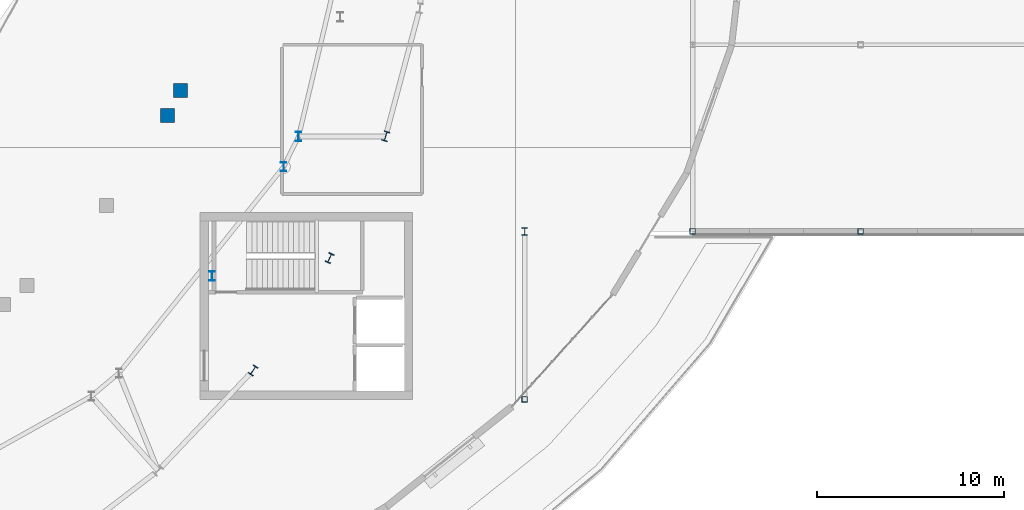
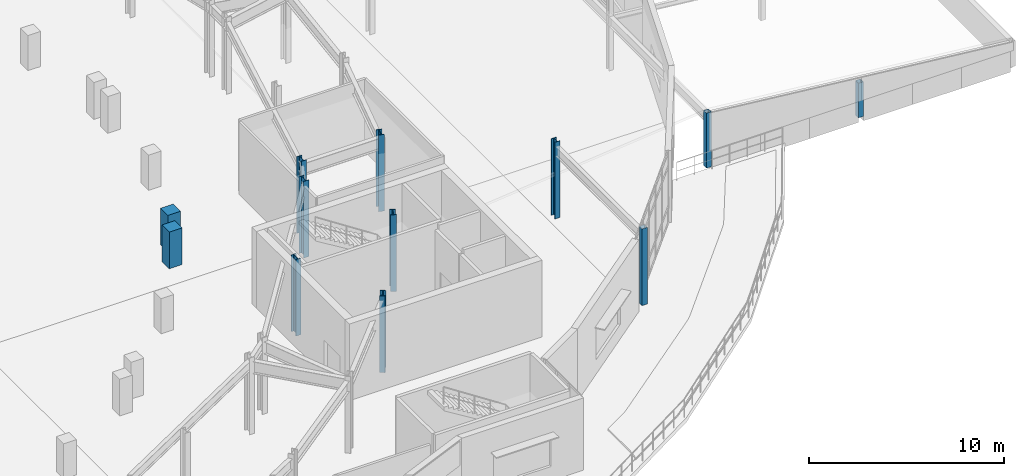
# One storey, part 15 of 84: 12 columns.
"""IFC4 building model written with IfcOpenShell, lengths in metres."""

from ifc_helpers import new_model, si_unit, direction, frame, origin, origin_2d, place, context, subcontext, project, spatial, rectangle, hollow_rectangle, i_section, extrude, material, material_profile, profile_set, type_object, element, save


model = new_model("IFC4")

# Units and contexts
model_context = context("Model", 3, precision=1e-05, world=origin(), true_north=direction((0.0, 1.0)))
body_context = subcontext(model_context, "Body", "Model", "MODEL_VIEW")
ifc_project = project(units=[si_unit("LENGTHUNIT", "METRE"), si_unit("AREAUNIT", "SQUARE_METRE"), si_unit("VOLUMEUNIT", "CUBIC_METRE"), si_unit("PLANEANGLEUNIT", "RADIAN"), si_unit("MASSUNIT", "GRAM", prefix="KILO")], contexts=[model_context])

# Site, building, storey
site_placement = place(None, origin())
site = spatial("IfcSite", under=ifc_project, at=site_placement, CompositionType="ELEMENT")
building_placement = place(site_placement, origin())
building = spatial("IfcBuilding", under=site, at=building_placement, Name="Glasvene Arena", CompositionType="ELEMENT")
storey_placement = place(building_placement, frame((0.0, 0.0, 10.199951171875)))
storey = spatial("IfcBuildingStorey", under=building, at=storey_placement, Name="L02", CompositionType="ELEMENT", Elevation=10.199951171875)

# Columns
ifc_material_1 = material(Name="Concrete C40/50", Category="concrete")
ifc_material_profile_1 = material_profile(ifc_material_1, rectangle(XDim=0.75, YDim=0.75, at=origin_2d()), Name="RC 750x750")
ifc_profile_set_1 = profile_set([ifc_material_profile_1], Name="Concrete C40/50")
column_type_1 = type_object("IfcColumnType", Name="COL-MID-RC750", PredefinedType="COLUMN", material=ifc_profile_set_1)
for number, where, z_axis, x_axis, name in (
    (1, (127.866455078125, 60.20751953125, 0.0), (0.0, 0.0, 1.0), (1.0, 0.0, 0.0), "Mid-bowl fulcrum column L02 15-2"),
    (2, (128.547119140625, 61.53662109375, 0.0), (0.0, 0.0, 1.0), (1.0, 0.0, 0.0), "Mid-bowl fulcrum column L02 16-1"),
):
    element("IfcColumn", number, at=place(storey_placement, frame(where, z_axis=z_axis, x_axis=x_axis)), inside=storey, type_object=column_type_1, Name=name, PredefinedType="COLUMN", context=body_context, shape_type="SweptSolid", body=[
        extrude(rectangle(XDim=0.75, YDim=0.75, at=origin_2d()), origin(), (0.0, 0.0, 1.0), 2.300048828125),
    ])
ifc_material_2 = material(Name="Steel S355J2", Category="steel")
ifc_material_profile_2 = material_profile(ifc_material_2, i_section(OverallWidth=0.305908203125, OverallDepth=0.52392578125, WebThickness=0.02099609375, FlangeThickness=0.0400390625, FilletRadius=0.027099609375, at=origin_2d()), Name="HEM 500")
ifc_profile_set_2 = profile_set([ifc_material_profile_2], Name="Steel S355J2")
column_type_2 = type_object("IfcColumnType", Name="COL-RING-HEM500", PredefinedType="COLUMN", material=ifc_profile_set_2)
for number, where, z_axis, x_axis, name in (
    (3, (132.45068359375, 46.5498046875, 0.0), (0.0, 0.0, 1.0), (0.836955398099, -0.547271104292, 0.0), "Bowl ring column R37 L02"),
    (4, (136.55029296875, 52.5703125, 0.0), (0.0, 0.0, 1.0), (0.909018020308, -0.416756810089, 0.0), "Bowl ring column R38 L02"),
    (5, (139.552734375, 59.09423828125, 0.0), (0.0, 0.0, 1.0), (0.959805291975, -0.280666708921, 0.0), "Bowl ring column R39 L02"),
):
    element("IfcColumn", number, at=place(storey_placement, frame(where, z_axis=z_axis, x_axis=x_axis)), inside=storey, type_object=column_type_2, Name=name, PredefinedType="COLUMN", context=body_context, shape_type="SweptSolid", body=[
        extrude(i_section(OverallWidth=0.305908203125, OverallDepth=0.52392578125, WebThickness=0.02099609375, FlangeThickness=0.0400390625, FilletRadius=0.027099609375, at=origin_2d()), origin(), (0.0, 0.0, 1.0), 4.800048828125),
    ])
ifc_material_profile_3 = material_profile(ifc_material_2, i_section(OverallWidth=0.300048828125, OverallDepth=0.39990234375, WebThickness=0.013427734375, FlangeThickness=0.02392578125, FilletRadius=0.027099609375, at=origin_2d()), Name="HEB 400")
ifc_profile_set_3 = profile_set([ifc_material_profile_3], Name="Steel S355J2")
column_type_3 = type_object("IfcColumnType", Name="COL-W-HEB400", PredefinedType="COLUMN", material=ifc_profile_set_3)
column_1_placement = place(storey_placement, frame((147.0, 54.0, 0.0), z_axis=(0.0, 0.0, 1.0), x_axis=(1.0, 0.0, 0.0)))
element("IfcColumn", 6, at=column_1_placement, inside=storey, type_object=column_type_3, Name="Grid column 17-7 L02", PredefinedType="COLUMN", context=body_context, shape_type="SweptSolid", body=[
    extrude(i_section(OverallWidth=0.300048828125, OverallDepth=0.39990234375, WebThickness=0.013427734375, FlangeThickness=0.02392578125, FilletRadius=0.027099609375, at=origin_2d()), origin(), (0.0, 0.0, 1.0), 4.800048828125),
])
ifc_material_profile_4 = material_profile(ifc_material_2, i_section(OverallWidth=0.300048828125, OverallDepth=0.5, WebThickness=0.014404296875, FlangeThickness=0.028076171875, FilletRadius=0.027099609375, at=origin_2d()), Name="HEB 500")
ifc_profile_set_4 = profile_set([ifc_material_profile_4], Name="Steel S355J2")
column_type_4 = type_object("IfcColumnType", Name="COL-W-HEB500", PredefinedType="COLUMN", material=ifc_profile_set_4)
for number, where, z_axis, x_axis, name in (
    (7, (134.088134765625, 57.46337890625, 0.0), (0.0, 0.0, 1.0), (1.0, 0.0, 0.0), "Upper raker rear column L02 15-2"),
    (8, (134.886962890625, 59.077392578125, 0.0), (0.0, 0.0, 1.0), (1.0, 0.0, 0.0), "Upper raker rear column L02 16-1"),
    (9, (130.24755859375, 51.610595703125, 0.0), (0.0, 0.0, 1.0), (1.0, 0.0, 0.0), "Mid-sector rear raker column L02 15"),
):
    element("IfcColumn", number, at=place(storey_placement, frame(where, z_axis=z_axis, x_axis=x_axis)), inside=storey, type_object=column_type_4, Name=name, PredefinedType="COLUMN", context=body_context, shape_type="SweptSolid", body=[
        extrude(i_section(OverallWidth=0.300048828125, OverallDepth=0.5, WebThickness=0.014404296875, FlangeThickness=0.028076171875, FilletRadius=0.027099609375, at=origin_2d()), origin(), (0.0, 0.0, 1.0), 4.800048828125),
    ])
ifc_material_profile_5 = material_profile(ifc_material_2, hollow_rectangle(XDim=0.300048828125, YDim=0.300048828125, WallThickness=0.012451171875, at=origin_2d()), Name="SHS 300x300x12.5")
ifc_profile_set_5 = profile_set([ifc_material_profile_5], Name="Steel S355J2")
column_type_5 = type_object("IfcColumnType", Name="COL-W-SHS300", PredefinedType="COLUMN", material=ifc_profile_set_5)
column_2_placement = place(storey_placement, frame((147.0, 45.0, 0.0), z_axis=(0.0, 0.0, 1.0), x_axis=(1.0, 0.0, 0.0)))
element("IfcColumn", 10, at=column_2_placement, inside=storey, type_object=column_type_5, Name="Grid column 17-6 L02", PredefinedType="COLUMN", context=body_context, shape_type="SweptSolid", body=[
    extrude(hollow_rectangle(XDim=0.300048828125, YDim=0.300048828125, WallThickness=0.012451171875, at=origin_2d()), origin(), (0.0, 0.0, 1.0), 4.800048828125),
])
column_3_placement = place(storey_placement, frame((156.0, 54.0, 0.0), z_axis=(0.0, 0.0, 1.0), x_axis=(1.0, 0.0, 0.0)))
element("IfcColumn", 11, at=column_3_placement, inside=storey, type_object=column_type_5, Name="Wing roof ridge post V5-6", PredefinedType="COLUMN", context=body_context, shape_type="SweptSolid", body=[
    extrude(hollow_rectangle(XDim=0.300048828125, YDim=0.300048828125, WallThickness=0.012451171875, at=origin_2d()), origin(), (0.0, 0.0, 1.0), 3.43994140625),
])
column_4_placement = place(storey_placement, frame((165.0, 54.0, 0.0), z_axis=(0.0, 0.0, 1.0), x_axis=(1.0, 0.0, 0.0)))
element("IfcColumn", 12, at=column_4_placement, inside=storey, type_object=column_type_5, Name="Wing roof rafter post V5-GS-18", PredefinedType="COLUMN", context=body_context, shape_type="SweptSolid", body=[
    extrude(hollow_rectangle(XDim=0.300048828125, YDim=0.300048828125, WallThickness=0.012451171875, at=origin_2d()), origin(), (0.0, 0.0, 1.0), 2.163330078125),
])

save(model, "model.ifc")
